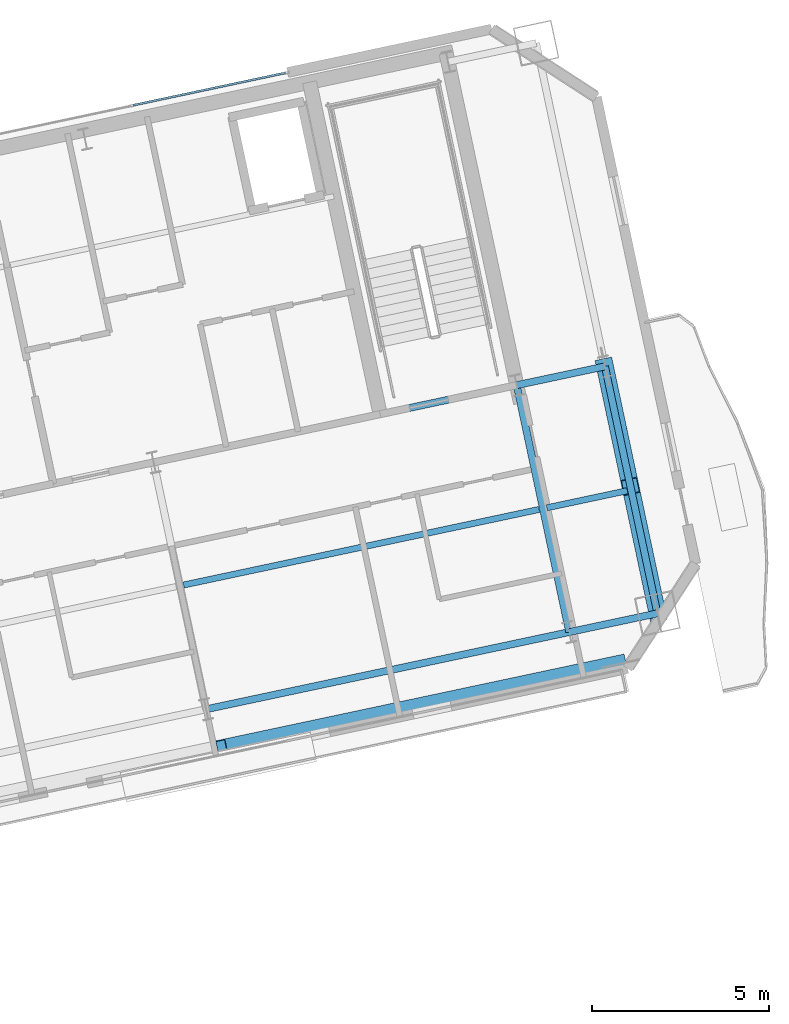
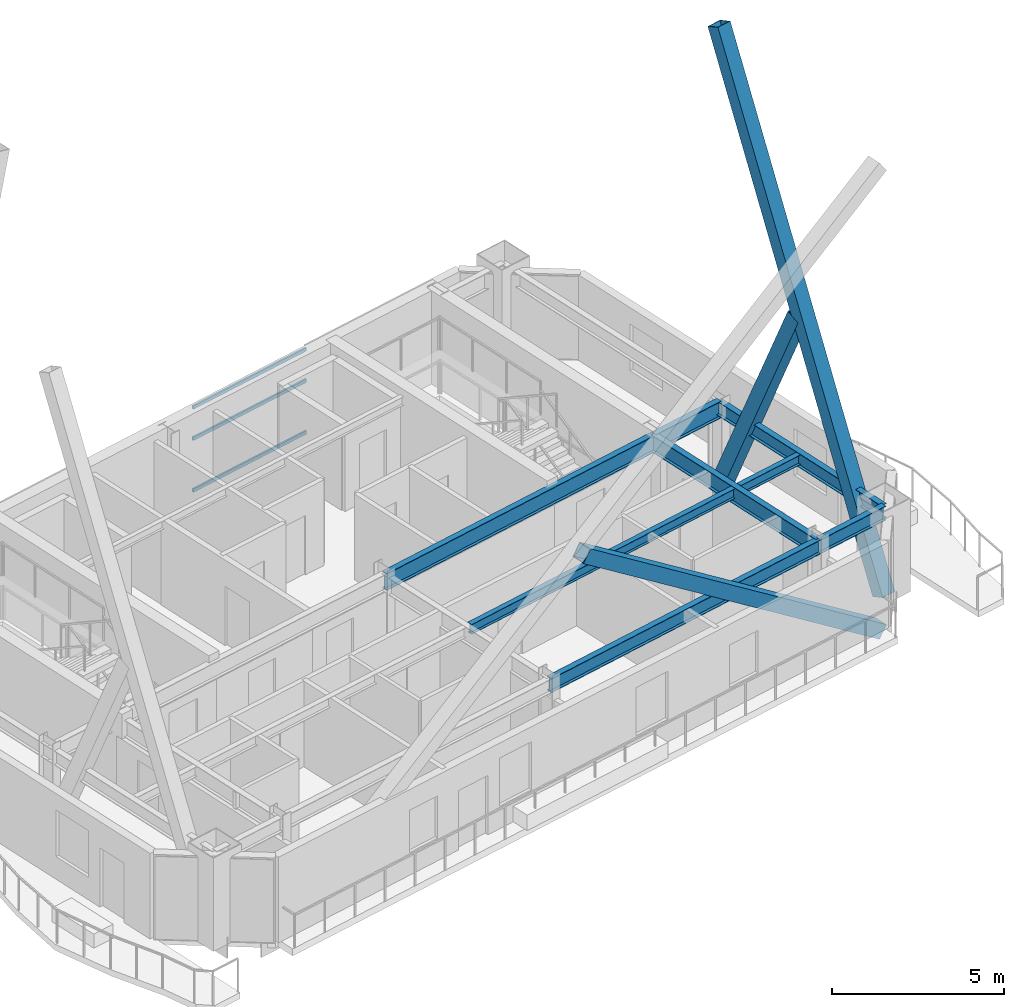
# One storey, part 6 of 19: 8 beams, 6 members, 1 element without a shape of its own.
"""IFC4 building model written with IfcOpenShell, lengths in metres."""

from ifc_helpers import new_model, si_unit, direction, frame, origin, origin_2d, place, context, subcontext, project, spatial, hollow_rectangle, i_section, extrude, material, layer, layer_set, material_profile, profile_set, type_object, element, aggregate, save


model = new_model("IFC4")

# Units and contexts
model_context = context("Model", 3, precision=1e-05, world=origin(), true_north=direction((0.0, 1.0)))
body_context = subcontext(model_context, "Body", "Model", "MODEL_VIEW")
ifc_project = project(units=[si_unit("LENGTHUNIT", "METRE"), si_unit("AREAUNIT", "SQUARE_METRE"), si_unit("VOLUMEUNIT", "CUBIC_METRE"), si_unit("PLANEANGLEUNIT", "RADIAN"), si_unit("MASSUNIT", "GRAM", prefix="KILO")], contexts=[model_context])

# Site, building, storey
site_placement = place(None, origin())
site = spatial("IfcSite", under=ifc_project, at=site_placement, CompositionType="ELEMENT")
building_placement = place(site_placement, origin())
building = spatial("IfcBuilding", under=site, at=building_placement, Name="Haevon Station Towers", CompositionType="ELEMENT")
storey_placement = place(building_placement, frame((0.0, 0.0, 218.699951171875)))
storey = spatial("IfcBuildingStorey", under=building, at=storey_placement, Name="L60", CompositionType="ELEMENT", Elevation=218.699951171875)

# Beams
ifc_material_1 = material(Name="Steel S355", Category="steel")
ifc_material_profile_1 = material_profile(ifc_material_1, i_section(OverallWidth=0.199951171875, OverallDepth=0.60009765625, WebThickness=0.010986328125, FlangeThickness=0.01708984375, at=origin_2d()), Name="H-600x200x11x17")
ifc_profile_set_1 = profile_set([ifc_material_profile_1], Name="Steel S355")
beam_type_1 = type_object("IfcBeamType", Name="BM-G600", PredefinedType="BEAM", material=ifc_profile_set_1)
beam_1_placement = place(storey_placement, frame((109.02294921875, 39.62548828125, 2.75), z_axis=(0.978146794194, 0.207915485254, 0.0), x_axis=(-0.207915485254, 0.978146794194, 0.0)))
element("IfcBeam", 1, at=beam_1_placement, inside=storey, type_object=beam_type_1, Name="BM-T2U-L60-02-03", PredefinedType="BEAM", context=body_context, shape_type="SweptSolid", body=[
    extrude(i_section(OverallWidth=0.199951171875, OverallDepth=0.60009765625, WebThickness=0.010986328125, FlangeThickness=0.01708984375, at=origin_2d()), origin(), (0.0, 0.0, 1.0), 10.5),
])
beam_2_placement = place(storey_placement, frame((119.29345703125, 41.80859375, 2.75), z_axis=(0.978161040728, 0.207848450565, 0.0), x_axis=(-0.207848450565, 0.978161040728, 0.0)))
element("IfcBeam", 2, at=beam_2_placement, inside=storey, type_object=beam_type_1, Name="BM-T2U-L60-02-04", PredefinedType="BEAM", context=body_context, shape_type="SweptSolid", body=[
    extrude(i_section(OverallWidth=0.199951171875, OverallDepth=0.60009765625, WebThickness=0.010986328125, FlangeThickness=0.01708984375, at=origin_2d()), origin(), (0.0, 0.0, 1.0), 2.550048828125),
])
beam_3_placement = place(storey_placement, frame((120.77783203125, 34.824462890625, 2.75), z_axis=(-0.207891880081, 0.978151811426, 0.0), x_axis=(-0.978151811426, -0.207891880081, 0.0)))
element("IfcBeam", 3, at=beam_3_placement, inside=storey, type_object=beam_type_1, Name="BM-T2V-L60-04-01", PredefinedType="BEAM", context=body_context, shape_type="SweptSolid", body=[
    extrude(i_section(OverallWidth=0.199951171875, OverallDepth=0.60009765625, WebThickness=0.010986328125, FlangeThickness=0.01708984375, at=origin_2d()), origin(), (0.0, 0.0, 1.0), 7.14013671875),
])
ifc_material_profile_2 = material_profile(ifc_material_1, i_section(OverallWidth=0.175048828125, OverallDepth=0.35009765625, WebThickness=0.007080078125, FlangeThickness=0.010986328125, at=origin_2d()), Name="H-350x175x7x11")
ifc_profile_set_2 = profile_set([ifc_material_profile_2], Name="Steel S355")
beam_type_2 = type_object("IfcBeamType", Name="BM-J350", PredefinedType="JOIST", material=ifc_profile_set_2)
beam_4_placement = place(storey_placement, frame((109.872802734375, 36.15625, 2.875), z_axis=(0.97814448317, 0.207926357261, 0.0), x_axis=(-0.207926357261, 0.97814448317, 0.0)))
element("IfcBeam", 4, at=beam_4_placement, inside=storey, type_object=beam_type_2, Name="BM-T2J-L60-01-03", PredefinedType="JOIST", context=body_context, shape_type="SweptSolid", body=[
    extrude(i_section(OverallWidth=0.175048828125, OverallDepth=0.35009765625, WebThickness=0.007080078125, FlangeThickness=0.010986328125, at=origin_2d()), origin(), (0.0, 0.0, 1.0), 10.27978515625),
])
beam_5_placement = place(storey_placement, frame((120.143310546875, 38.33935546875, 2.875), z_axis=(0.978130880619, 0.207990337228, 0.0), x_axis=(-0.207990337228, 0.978130880619, 0.0)))
element("IfcBeam", 5, at=beam_5_placement, inside=storey, type_object=beam_type_2, Name="BM-T2J-L60-01-04", PredefinedType="JOIST", context=body_context, shape_type="SweptSolid", body=[
    extrude(i_section(OverallWidth=0.175048828125, OverallDepth=0.35009765625, WebThickness=0.007080078125, FlangeThickness=0.010986328125, at=origin_2d()), origin(), (0.0, 0.0, 1.0), 2.330078125),
])
ifc_material_profile_3 = material_profile(ifc_material_1, i_section(OverallWidth=0.199951171875, OverallDepth=0.5, WebThickness=0.010009765625, FlangeThickness=0.01611328125, at=origin_2d()), Name="H-500x200x10x16")
ifc_profile_set_3 = profile_set([ifc_material_profile_3], Name="Steel S355")
beam_type_3 = type_object("IfcBeamType", Name="BM-SP500", PredefinedType="SPANDREL", material=ifc_profile_set_3)
beam_6_placement = place(storey_placement, frame((110.50732421875, 32.6416015625, 2.800048828125), z_axis=(0.978151522678, 0.207893238667, 0.0), x_axis=(-0.207893238667, 0.978151522678, 0.0)))
element("IfcBeam", 6, at=beam_6_placement, inside=storey, type_object=beam_type_3, Name="BM-T2U-L60-01-03", PredefinedType="SPANDREL", context=body_context, shape_type="SweptSolid", body=[
    extrude(i_section(OverallWidth=0.199951171875, OverallDepth=0.5, WebThickness=0.010009765625, FlangeThickness=0.01611328125, at=origin_2d()), origin(), (0.0, 0.0, 1.0), 10.5),
])
beam_7_placement = place(storey_placement, frame((120.77783203125, 34.824462890625, 2.800048828125), z_axis=(0.978141572287, 0.207940050407, 0.0), x_axis=(-0.207940050407, 0.978141572287, 0.0)))
element("IfcBeam", 7, at=beam_7_placement, inside=storey, type_object=beam_type_3, Name="BM-T2U-L60-01-04", PredefinedType="SPANDREL", context=body_context, shape_type="SweptSolid", body=[
    extrude(i_section(OverallWidth=0.199951171875, OverallDepth=0.5, WebThickness=0.010009765625, FlangeThickness=0.01611328125, at=origin_2d()), origin(), (0.0, 0.0, 1.0), 2.550048828125),
])
beam_8_placement = place(storey_placement, frame((123.272216796875, 35.354736328125, 2.800048828125), z_axis=(-0.207898833396, 0.978150333575, 0.0), x_axis=(-0.978150333575, -0.207898833396, 0.0)))
element("IfcBeam", 8, at=beam_8_placement, inside=storey, type_object=beam_type_3, Name="BM-T2V-L60-05-01", PredefinedType="SPANDREL", context=body_context, shape_type="SweptSolid", body=[
    extrude(i_section(OverallWidth=0.199951171875, OverallDepth=0.5, WebThickness=0.010009765625, FlangeThickness=0.01611328125, at=origin_2d()), origin(), (0.0, 0.0, 1.0), 7.139892578125),
])

# Curtain wall, members
ifc_material_2 = material(Name="Anodised aluminium and Low-E double glazing", Category="aluminium")
ifc_layer = layer(ifc_material_2, 0.179931640625)
ifc_layer_set = layer_set([ifc_layer], Name="Anodised aluminium and Low-E double glazing")
curtain_wall_type = type_object("IfcCurtainWallType", Name="CW-SYS5", PredefinedType="NOTDEFINED", material=ifc_layer_set)
curtain_wall_placement = place(storey_placement, origin())
curtain_wall = element("IfcCurtainWall", 9, at=curtain_wall_placement, inside=storey, type_object=curtain_wall_type, Name="L60 Curtain Wall CW-T2-L60-N", PredefinedType="NOTDEFINED")
ifc_material_3 = material(Name="Anodised aluminium 6063-T6", Category="aluminium")
ifc_material_profile_4 = material_profile(ifc_material_3, hollow_rectangle(XDim=0.06005859375, YDim=0.1201171875, WallThickness=0.0029296875, at=origin_2d()), Name="CWT-120x60x3")
ifc_profile_set_4 = profile_set([ifc_material_profile_4], Name="Anodised aluminium 6063-T6")
member_type_1 = type_object("IfcMemberType", Name="CWT-120", PredefinedType="USERDEFINED", material=ifc_profile_set_4)
member_1_placement = place(storey_placement, frame((108.4404296875, 49.72509765625, 0.030029296875), z_axis=(0.9781526595, 0.207887889768, 0.0), x_axis=(-0.207887889768, 0.9781526595, 0.0)))
member_1 = element("IfcMember", 10, at=member_1_placement, type_object=member_type_1, Name="CW-SYS5 transom 2.1", ObjectType="TRANSOM", PredefinedType="USERDEFINED", context=body_context, shape_type="SweptSolid", body=[
    extrude(hollow_rectangle(XDim=0.06005859375, YDim=0.1201171875, WallThickness=0.0029296875, at=origin_2d()), origin(), (0.0, 0.0, 1.0), 4.409912109375),
])
member_2_placement = place(storey_placement, frame((108.4404296875, 49.72509765625, 1.860107421875), z_axis=(0.9781526595, 0.207887889768, 0.0), x_axis=(-0.207887889768, 0.9781526595, 0.0)))
member_2 = element("IfcMember", 11, at=member_2_placement, type_object=member_type_1, Name="CW-SYS5 transom 2.2", ObjectType="TRANSOM", PredefinedType="USERDEFINED", context=body_context, shape_type="SweptSolid", body=[
    extrude(hollow_rectangle(XDim=0.06005859375, YDim=0.1201171875, WallThickness=0.0029296875, at=origin_2d()), origin(), (0.0, 0.0, 1.0), 4.409912109375),
])
member_3_placement = place(storey_placement, frame((108.4404296875, 49.72509765625, 2.969970703125), z_axis=(0.9781526595, 0.207887889768, 0.0), x_axis=(-0.207887889768, 0.9781526595, 0.0)))
member_3 = element("IfcMember", 12, at=member_3_placement, type_object=member_type_1, Name="CW-SYS5 transom 2.3", ObjectType="TRANSOM", PredefinedType="USERDEFINED", context=body_context, shape_type="SweptSolid", body=[
    extrude(hollow_rectangle(XDim=0.06005859375, YDim=0.1201171875, WallThickness=0.0029296875, at=origin_2d()), origin(), (0.0, 0.0, 1.0), 4.409912109375),
])
aggregate(curtain_wall, [member_1, member_2, member_3])

# Members
ifc_material_4 = material(Name="Steel S460", Category="steel")
ifc_material_profile_5 = material_profile(ifc_material_4, hollow_rectangle(XDim=0.47998046875, YDim=0.47998046875, WallThickness=0.02490234375, at=origin_2d()), Name="RHS-480x480x25")
ifc_profile_set_5 = profile_set([ifc_material_profile_5], Name="Steel S460")
member_type_2 = type_object("IfcMemberType", Name="MB-480", PredefinedType="BRACE", material=ifc_profile_set_5)
member_4_placement = place(storey_placement, frame((122.243896484375, 33.93994140625, -0.119873046875), z_axis=(-0.801015213467, -0.170248206452, 0.573925235543), x_axis=(0.207896697131, -0.97815078762, 0.0)))
element("IfcMember", 13, at=member_4_placement, inside=storey, type_object=member_type_2, Name="BR-T2MB-T09-S-D2A", PredefinedType="BRACE", context=body_context, shape_type="SweptSolid", body=[
    extrude(hollow_rectangle(XDim=0.47998046875, YDim=0.47998046875, WallThickness=0.02490234375, at=origin_2d()), origin(), (0.0, 0.0, 1.0), 14.096435546875),
])
member_5_placement = place(storey_placement, frame((123.272216796875, 35.354736328125, -0.119873046875), z_axis=(-0.082690433665, 0.389053050233, 0.917496602873), x_axis=(-0.978150333575, -0.207898833396, 0.0)))
element("IfcMember", 14, at=member_5_placement, inside=storey, type_object=member_type_2, Name="BR-T2MB-T09-E-D1", PredefinedType="BRACE", context=body_context, shape_type="SweptSolid", body=[
    extrude(hollow_rectangle(XDim=0.47998046875, YDim=0.47998046875, WallThickness=0.02490234375, at=origin_2d()), origin(), (0.0, 0.0, 1.0), 17.950927734375),
])
member_6_placement = place(storey_placement, frame((121.787841796875, 42.338623046875, -0.119873046875), z_axis=(0.082673806054, -0.389048266067, 0.917500129953), x_axis=(0.978158314412, 0.207861280539, 0.0)))
element("IfcMember", 15, at=member_6_placement, inside=storey, type_object=member_type_2, Name="BR-T2MB-T09-E-D2A", PredefinedType="BRACE", context=body_context, shape_type="SweptSolid", body=[
    extrude(hollow_rectangle(XDim=0.47998046875, YDim=0.47998046875, WallThickness=0.02490234375, at=origin_2d()), origin(), (0.0, 0.0, 1.0), 8.723388671875),
])

save(model, "model.ifc")
